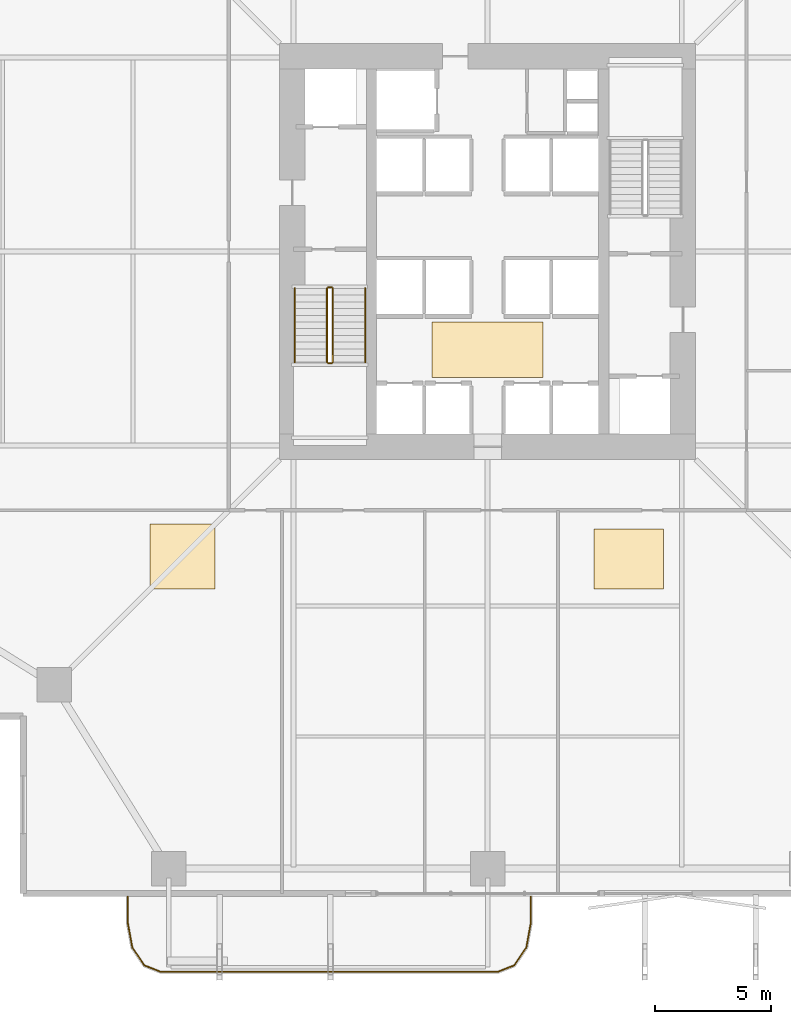
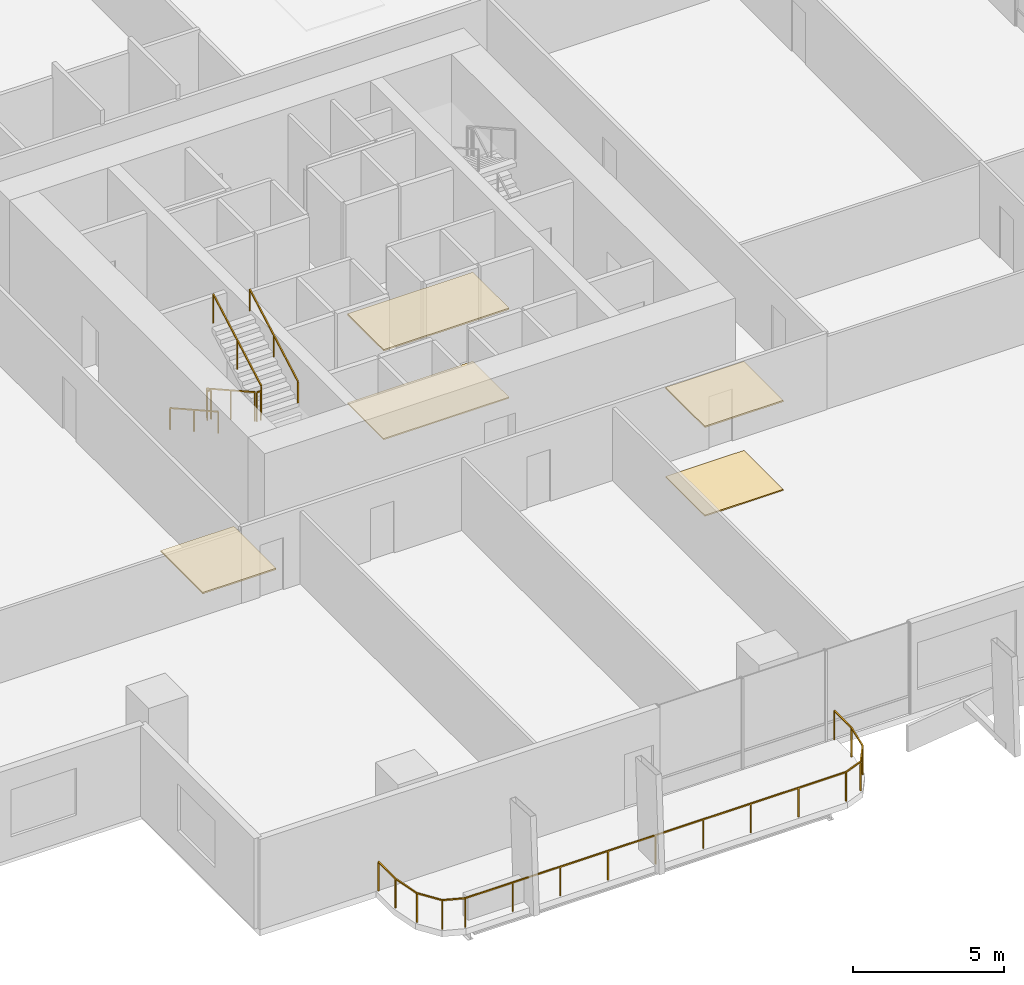
# One storey, part 21 of 23: 7 railings, 5 coverings.
"""IFC4 building model written with IfcOpenShell, lengths in metres."""

from ifc_helpers import new_model, si_unit, direction, frame, origin, origin_2d, place, context, subcontext, project, spatial, polyline, rectangle, outline, extrude, material, layer, layer_set, type_object, element, save


model = new_model("IFC4")

# Units and contexts
model_context = context("Model", 3, precision=1e-05, world=origin(), true_north=direction((0.0, 1.0)))
body_context = subcontext(model_context, "Body", "Model", "MODEL_VIEW")
ifc_project = project(units=[si_unit("LENGTHUNIT", "METRE"), si_unit("AREAUNIT", "SQUARE_METRE"), si_unit("VOLUMEUNIT", "CUBIC_METRE"), si_unit("PLANEANGLEUNIT", "RADIAN"), si_unit("MASSUNIT", "GRAM", prefix="KILO")], contexts=[model_context])

# Site, building, storey
site_placement = place(None, origin())
site = spatial("IfcSite", under=ifc_project, at=site_placement, CompositionType="ELEMENT")
building_placement = place(site_placement, origin())
building = spatial("IfcBuilding", under=site, at=building_placement, Name="Belovzor Exchange Tower", CompositionType="ELEMENT")
storey_placement = place(building_placement, frame((0.0, 0.0, 41.699951171875)))
storey = spatial("IfcBuildingStorey", under=building, at=storey_placement, Name="L09", CompositionType="ELEMENT", Elevation=41.699951171875)

# Railings
ifc_material_1 = material(Name="Stainless Steel Grade 304", Category="steel")
railing_type_1 = type_object("IfcRailingType", Name="Brushed Stainless Steel Stair Handrail 900", PredefinedType="HANDRAIL", material=ifc_material_1)
railing_1_placement = place(storey_placement, frame((20.449951171875, 27.199951171875, 0.16259765625)))
element("IfcRailing", 1, at=railing_1_placement, inside=storey, type_object=railing_type_1, Name="L09 ST-1 stair handrail 1", PredefinedType="HANDRAIL", context=body_context, shape_type="SweptSolid", body=[
    extrude(rectangle(XDim=0.048095703125, YDim=0.048095703125, at=origin_2d()), frame((0.0, 0.0, 0.8759765625), z_axis=(0.0, -0.872390997893, 0.488808701636), x_axis=(1.0, 0.0, 0.0)), (0.0, 0.0, 1.0), 3.656494140625),
    extrude(rectangle(XDim=0.0419921875, YDim=0.0419921875, at=origin_2d()), origin(), (0.0, 0.0, 1.0), 0.851806640625),
    extrude(rectangle(XDim=0.0419921875, YDim=0.0419921875, at=origin_2d()), frame((0.0, -1.594970703125, 0.8935546875)), (0.0, 0.0, 1.0), 0.851806640625),
    extrude(rectangle(XDim=0.0419921875, YDim=0.0419921875, at=origin_2d()), frame((0.0, -3.18994140625, 1.787353515625)), (0.0, 0.0, 1.0), 0.851806640625),
])
railing_2_placement = place(storey_placement, frame((23.5, 24.010009765625, 2.112548828125)))
element("IfcRailing", 2, at=railing_2_placement, inside=storey, type_object=railing_type_1, Name="L09 ST-1 stair handrail 2", PredefinedType="HANDRAIL", context=body_context, shape_type="SweptSolid", body=[
    extrude(rectangle(XDim=0.048095703125, YDim=0.048095703125, at=origin_2d()), frame((0.0, 0.0, 0.8759765625), z_axis=(0.0, 0.8723625253, 0.488859514025), x_axis=(-1.0, 0.0, 0.0)), (0.0, 0.0, 1.0), 3.65673828125),
    extrude(rectangle(XDim=0.0419921875, YDim=0.0419921875, at=origin_2d()), origin(), (0.0, 0.0, 1.0), 0.851806640625),
    extrude(rectangle(XDim=0.0419921875, YDim=0.0419921875, at=origin_2d()), frame((0.0, 1.594970703125, 0.893798828125)), (0.0, 0.0, 1.0), 0.851806640625),
    extrude(rectangle(XDim=0.0419921875, YDim=0.0419921875, at=origin_2d()), frame((0.0, 3.18994140625, 1.78759765625)), (0.0, 0.0, 1.0), 0.851806640625),
])
ifc_material_2 = material(Name="Stainless Steel and Laminated Safety Glass", Category="steel")
railing_type_2 = type_object("IfcRailingType", Name="Laminated Glass & Stainless Steel Balcony Balustrade 1200", PredefinedType="BALUSTRADE", material=ifc_material_2)
railing_3_placement = place(storey_placement, frame((13.22998046875, 0.889892578125, 0.0)))
element("IfcRailing", 3, at=railing_3_placement, inside=storey, type_object=railing_type_2, Name="GR-1 Balcony Balustrade L09 South", PredefinedType="BALUSTRADE", context=body_context, shape_type="SweptSolid", body=[
    extrude(rectangle(XDim=0.048095703125, YDim=0.048095703125, at=origin_2d()), frame((0.0, 0.0, 1.17578125), z_axis=(0.0, -1.0, 0.0), x_axis=(1.0, 0.0, 0.0)), (0.0, 0.0, 1.0), 1.1328125),
    extrude(rectangle(XDim=0.048095703125, YDim=0.048095703125, at=origin_2d()), frame((0.0, -1.1328125, 1.17578125), z_axis=(0.180083182347, -0.983651385113, 0.0), x_axis=(0.983651385113, 0.180083182347, 0.0)), (0.0, 0.0, 1.0), 1.093994140625),
    extrude(rectangle(XDim=0.048095703125, YDim=0.048095703125, at=origin_2d()), frame((0.197021484375, -2.208984375, 1.17578125), z_axis=(0.562768145367, -0.826614792125, 0.0), x_axis=(0.826614792125, 0.562768145367, 0.0)), (0.0, 0.0, 1.0), 0.9326171875),
    extrude(rectangle(XDim=0.048095703125, YDim=0.048095703125, at=origin_2d()), frame((0.721923828125, -2.97998046875, 1.17578125), z_axis=(0.930809580156, -0.365504480807, 0.0), x_axis=(0.365504480807, 0.930809580156, 0.0)), (0.0, 0.0, 1.0), 0.76611328125),
    extrude(rectangle(XDim=0.048095703125, YDim=0.048095703125, at=origin_2d()), frame((1.43505859375, -3.260009765625, 1.17578125), z_axis=(1.0, 0.0, 0.0), x_axis=(0.0, 1.0, 0.0)), (0.0, 0.0, 1.0), 14.570068359375),
    extrude(rectangle(XDim=0.048095703125, YDim=0.048095703125, at=origin_2d()), frame((16.005126953125, -3.260009765625, 1.17578125), z_axis=(0.930766990125, 0.365612923861, 0.0), x_axis=(-0.365612923861, 0.930766990125, 0.0)), (0.0, 0.0, 1.0), 0.765869140625),
    extrude(rectangle(XDim=0.048095703125, YDim=0.048095703125, at=origin_2d()), frame((16.718017578125, -2.97998046875, 1.17578125), z_axis=(0.562768145367, 0.826614792125, 0.0), x_axis=(-0.826614792125, 0.562768145367, 0.0)), (0.0, 0.0, 1.0), 0.9326171875),
    extrude(rectangle(XDim=0.048095703125, YDim=0.048095703125, at=origin_2d()), frame((17.242919921875, -2.208984375, 1.17578125), z_axis=(0.180083182347, 0.983651385113, 0.0), x_axis=(-0.983651385113, 0.180083182347, 0.0)), (0.0, 0.0, 1.0), 1.093994140625),
    extrude(rectangle(XDim=0.048095703125, YDim=0.048095703125, at=origin_2d()), frame((17.43994140625, -1.1328125, 1.17578125), z_axis=(0.0, 1.0, 0.0), x_axis=(-1.0, 0.0, 0.0)), (0.0, 0.0, 1.0), 1.1328125),
    extrude(rectangle(XDim=0.0419921875, YDim=0.0419921875, at=origin_2d()), origin(), (0.0, 0.0, 1.0), 1.15185546875),
    extrude(rectangle(XDim=0.0419921875, YDim=0.0419921875, at=origin_2d()), frame((0.0, -1.1328125, 0.0)), (0.0, 0.0, 1.0), 1.15185546875),
    extrude(rectangle(XDim=0.0419921875, YDim=0.0419921875, at=origin_2d()), frame((0.197021484375, -2.208984375, 0.0)), (0.0, 0.0, 1.0), 1.15185546875),
    extrude(rectangle(XDim=0.0419921875, YDim=0.0419921875, at=origin_2d()), frame((0.721923828125, -2.97998046875, 0.0)), (0.0, 0.0, 1.0), 1.15185546875),
    extrude(rectangle(XDim=0.0419921875, YDim=0.0419921875, at=origin_2d()), frame((1.43505859375, -3.260009765625, 0.0)), (0.0, 0.0, 1.0), 1.15185546875),
    extrude(rectangle(XDim=0.0419921875, YDim=0.0419921875, at=origin_2d()), frame((3.25634765625, -3.260009765625, 0.0)), (0.0, 0.0, 1.0), 1.15185546875),
    extrude(rectangle(XDim=0.0419921875, YDim=0.0419921875, at=origin_2d()), frame((5.07763671875, -3.260009765625, 0.0)), (0.0, 0.0, 1.0), 1.15185546875),
    extrude(rectangle(XDim=0.0419921875, YDim=0.0419921875, at=origin_2d()), frame((6.89892578125, -3.260009765625, 0.0)), (0.0, 0.0, 1.0), 1.15185546875),
    extrude(rectangle(XDim=0.0419921875, YDim=0.0419921875, at=origin_2d()), frame((8.72021484375, -3.260009765625, 0.0)), (0.0, 0.0, 1.0), 1.15185546875),
    extrude(rectangle(XDim=0.0419921875, YDim=0.0419921875, at=origin_2d()), frame((10.541259765625, -3.260009765625, 0.0)), (0.0, 0.0, 1.0), 1.15185546875),
    extrude(rectangle(XDim=0.0419921875, YDim=0.0419921875, at=origin_2d()), frame((12.362548828125, -3.260009765625, 0.0)), (0.0, 0.0, 1.0), 1.15185546875),
    extrude(rectangle(XDim=0.0419921875, YDim=0.0419921875, at=origin_2d()), frame((14.183837890625, -3.260009765625, 0.0)), (0.0, 0.0, 1.0), 1.15185546875),
    extrude(rectangle(XDim=0.0419921875, YDim=0.0419921875, at=origin_2d()), frame((16.005126953125, -3.260009765625, 0.0)), (0.0, 0.0, 1.0), 1.15185546875),
    extrude(rectangle(XDim=0.0419921875, YDim=0.0419921875, at=origin_2d()), frame((16.718017578125, -2.97998046875, 0.0)), (0.0, 0.0, 1.0), 1.15185546875),
    extrude(rectangle(XDim=0.0419921875, YDim=0.0419921875, at=origin_2d()), frame((17.242919921875, -2.208984375, 0.0)), (0.0, 0.0, 1.0), 1.15185546875),
    extrude(rectangle(XDim=0.0419921875, YDim=0.0419921875, at=origin_2d()), frame((17.43994140625, -1.1328125, 0.0)), (0.0, 0.0, 1.0), 1.15185546875),
    extrude(rectangle(XDim=0.0419921875, YDim=0.0419921875, at=origin_2d()), frame((17.43994140625, 0.0, 0.0)), (0.0, 0.0, 1.0), 1.15185546875),
])
ifc_material_3 = material(Name="Steel S355", Category="steel")
railing_type_3 = type_object("IfcRailingType", Name="Painted Steel Stairwell Guardrail 1200", PredefinedType="GUARDRAIL", material=ifc_material_3)
railing_4_placement = place(storey_placement, frame((21.85009765625, 27.199951171875, 0.16259765625)))
element("IfcRailing", 4, at=railing_4_placement, inside=storey, type_object=railing_type_3, Name="L09 ST-1 stair guard 1", PredefinedType="GUARDRAIL", context=body_context, shape_type="SweptSolid", body=[
    extrude(rectangle(XDim=0.048095703125, YDim=0.048095703125, at=origin_2d()), frame((0.0, 0.0, 1.17578125), z_axis=(0.0, -0.872390997893, 0.488808701636), x_axis=(1.0, 0.0, 0.0)), (0.0, 0.0, 1.0), 3.656494140625),
    extrude(rectangle(XDim=0.0419921875, YDim=0.0419921875, at=origin_2d()), origin(), (0.0, 0.0, 1.0), 1.15185546875),
    extrude(rectangle(XDim=0.0419921875, YDim=0.0419921875, at=origin_2d()), frame((0.0, -1.594970703125, 0.8935546875)), (0.0, 0.0, 1.0), 1.15185546875),
    extrude(rectangle(XDim=0.0419921875, YDim=0.0419921875, at=origin_2d()), frame((0.0, -3.18994140625, 1.787353515625)), (0.0, 0.0, 1.0), 1.15185546875),
])
railing_5_placement = place(storey_placement, frame((21.89990234375, 23.9599609375, 1.949951171875)))
element("IfcRailing", 5, at=railing_5_placement, inside=storey, type_object=railing_type_3, Name="L09 ST-1 stair guard 2", PredefinedType="GUARDRAIL", context=body_context, shape_type="SweptSolid", body=[
    extrude(rectangle(XDim=0.048095703125, YDim=0.048095703125, at=origin_2d()), frame((0.0, 0.0, 1.17578125), z_axis=(1.0, 0.0, 0.0), x_axis=(0.0, 1.0, 0.0)), (0.0, 0.0, 1.0), 0.150146484375),
    extrude(rectangle(XDim=0.0419921875, YDim=0.0419921875, at=origin_2d()), origin(), (0.0, 0.0, 1.0), 1.15185546875),
    extrude(rectangle(XDim=0.0419921875, YDim=0.0419921875, at=origin_2d()), frame((0.150146484375, 0.0, 0.0)), (0.0, 0.0, 1.0), 1.15185546875),
])
railing_6_placement = place(storey_placement, frame((22.10009765625, 24.010009765625, 2.112548828125)))
element("IfcRailing", 6, at=railing_6_placement, inside=storey, type_object=railing_type_3, Name="L09 ST-1 stair guard 3", PredefinedType="GUARDRAIL", context=body_context, shape_type="SweptSolid", body=[
    extrude(rectangle(XDim=0.048095703125, YDim=0.048095703125, at=origin_2d()), frame((0.0, 0.0, 1.17578125), z_axis=(0.0, 0.8723625253, 0.488859514025), x_axis=(-1.0, 0.0, 0.0)), (0.0, 0.0, 1.0), 3.65673828125),
    extrude(rectangle(XDim=0.0419921875, YDim=0.0419921875, at=origin_2d()), origin(), (0.0, 0.0, 1.0), 1.15185546875),
    extrude(rectangle(XDim=0.0419921875, YDim=0.0419921875, at=origin_2d()), frame((0.0, 1.594970703125, 0.893798828125)), (0.0, 0.0, 1.0), 1.15185546875),
    extrude(rectangle(XDim=0.0419921875, YDim=0.0419921875, at=origin_2d()), frame((0.0, 3.18994140625, 1.78759765625)), (0.0, 0.0, 1.0), 1.15185546875),
])
railing_7_placement = place(storey_placement, frame((21.89990234375, 27.25, 0.0)))
element("IfcRailing", 7, at=railing_7_placement, inside=storey, type_object=railing_type_3, Name="L09 ST-1 stair guard 4", PredefinedType="GUARDRAIL", context=body_context, shape_type="SweptSolid", body=[
    extrude(rectangle(XDim=0.048095703125, YDim=0.048095703125, at=origin_2d()), frame((0.0, 0.0, 1.17578125), z_axis=(1.0, 0.0, 0.0), x_axis=(0.0, 1.0, 0.0)), (0.0, 0.0, 1.0), 0.150146484375),
    extrude(rectangle(XDim=0.0419921875, YDim=0.0419921875, at=origin_2d()), origin(), (0.0, 0.0, 1.0), 1.15185546875),
    extrude(rectangle(XDim=0.0419921875, YDim=0.0419921875, at=origin_2d()), frame((0.150146484375, 0.0, 0.0)), (0.0, 0.0, 1.0), 1.15185546875),
])

# Coverings
ifc_material_4 = material(Name="Perforated Powder-Coated Aluminium", Category="aluminium")
ifc_layer_1 = layer(ifc_material_4, 0.06005859375)
ifc_layer_set_1 = layer_set([ifc_layer_1], Name="Perforated Powder-Coated Aluminium")
covering_type_1 = type_object("IfcCoveringType", Name="Perforated Acoustic Metal Tile Suspended Ceiling 60", PredefinedType="CEILING", material=ifc_layer_set_1)
covering_1_placement = place(storey_placement, frame((0.0, 0.0, 3.590087890625)))
element("IfcCovering", 8, at=covering_1_placement, inside=storey, type_object=covering_type_1, Name="CLG-AC60 Suspended Ceiling CLG-L09-LOB", PredefinedType="CEILING", context=body_context, shape_type="SweptSolid", body=[
    extrude(outline(polyline([(26.39990234375, 23.35009765625), (31.199951171875, 23.35009765625), (31.199951171875, 25.75), (26.39990234375, 25.75), (26.39990234375, 23.35009765625)])), origin(), (0.0, 0.0, 1.0), 0.06005859375),
])
covering_2_placement = place(storey_placement, frame((0.0, 0.0, 3.590087890625)))
element("IfcCovering", 9, at=covering_2_placement, inside=storey, type_object=covering_type_1, Name="CLG-AC60 Suspended Ceiling CLG-L09-Z0", PredefinedType="CEILING", context=body_context, shape_type="SweptSolid", body=[
    extrude(outline(polyline([(14.199951171875, 14.199951171875), (17.0, 14.199951171875), (17.0, 17.0), (14.199951171875, 17.0), (14.199951171875, 14.199951171875)])), origin(), (0.0, 0.0, 1.0), 0.06005859375),
])
covering_3_placement = place(storey_placement, frame((0.0, 0.0, 3.590087890625)))
element("IfcCovering", 10, at=covering_3_placement, inside=storey, type_object=covering_type_1, Name="CLG-AC60 Suspended Ceiling CLG-L09-Z1", PredefinedType="CEILING", context=body_context, shape_type="SweptSolid", body=[
    extrude(outline(polyline([(33.39990234375, 14.199951171875), (36.39990234375, 14.199951171875), (36.39990234375, 16.800048828125), (33.39990234375, 16.800048828125), (33.39990234375, 14.199951171875)])), origin(), (0.0, 0.0, 1.0), 0.06005859375),
])
ifc_material_5 = material(Name="Polished Natural Granite Tile", Category="masonry")
ifc_layer_2 = layer(ifc_material_5, 0.050048828125)
ifc_layer_set_2 = layer_set([ifc_layer_2], Name="Polished Natural Granite Tile")
covering_type_2 = type_object("IfcCoveringType", Name="Polished Karelian Granite & Raised Access Floor Finish 50", PredefinedType="FLOORING", material=ifc_layer_set_2)
covering_4_placement = place(storey_placement, origin())
element("IfcCovering", 11, at=covering_4_placement, inside=storey, type_object=covering_type_2, Name="FLR-GR50 Floor Finish FLR-L09-LOB", PredefinedType="FLOORING", context=body_context, shape_type="SweptSolid", body=[
    extrude(outline(polyline([(26.39990234375, 23.35009765625), (31.199951171875, 23.35009765625), (31.199951171875, 25.75), (26.39990234375, 25.75), (26.39990234375, 23.35009765625)])), origin(), (0.0, 0.0, 1.0), 0.050048828125),
])
covering_5_placement = place(storey_placement, origin())
element("IfcCovering", 12, at=covering_5_placement, inside=storey, type_object=covering_type_2, Name="FLR-GR50 Floor Finish FLR-L09-Z1", PredefinedType="FLOORING", context=body_context, shape_type="SweptSolid", body=[
    extrude(outline(polyline([(33.39990234375, 14.199951171875), (36.39990234375, 14.199951171875), (36.39990234375, 16.800048828125), (33.39990234375, 16.800048828125), (33.39990234375, 14.199951171875)])), origin(), (0.0, 0.0, 1.0), 0.050048828125),
])

save(model, "model.ifc")
